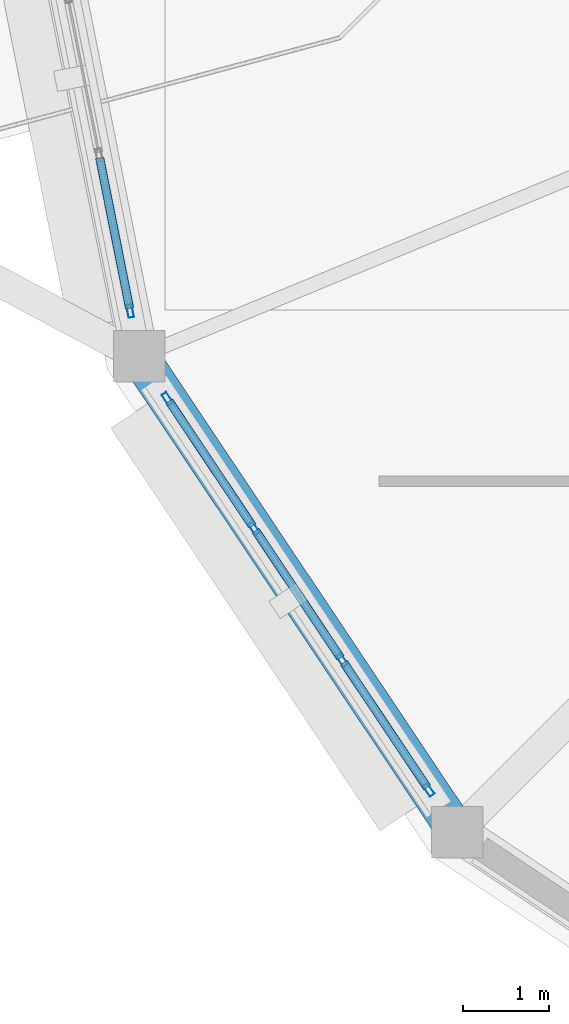
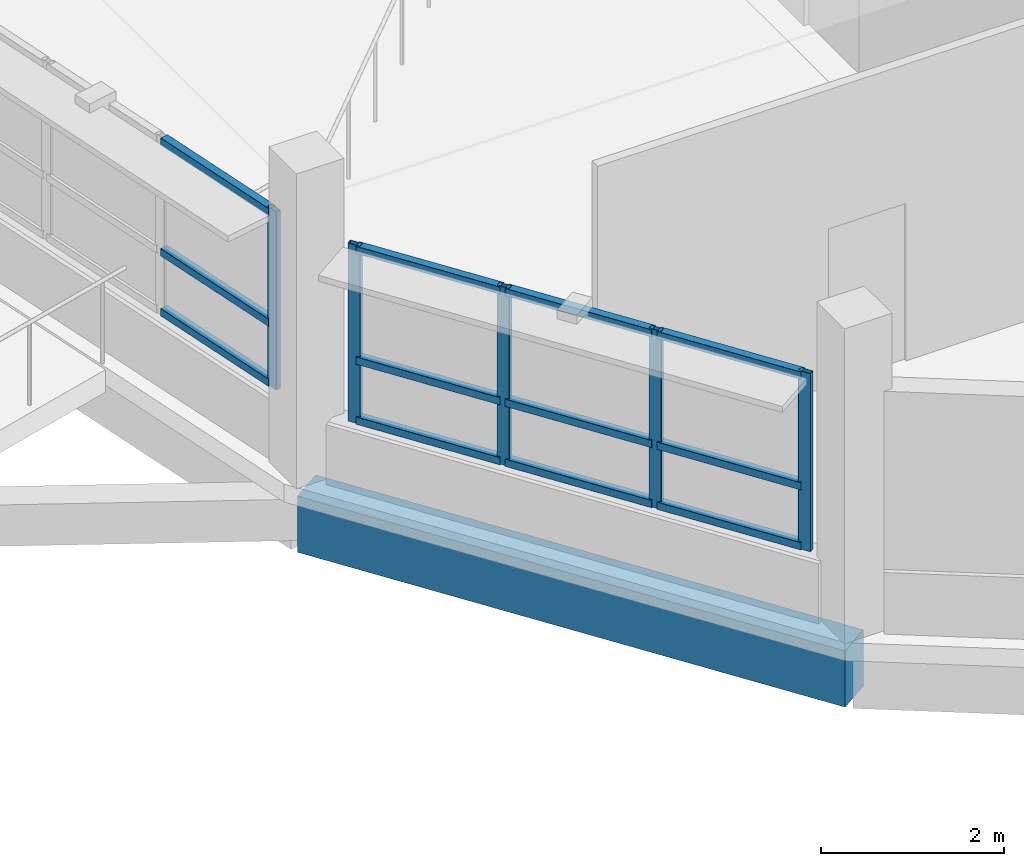
# One storey, part 37 of 128: 17 members, 1 beam, 2 elements without a shape of their own.
"""IFC4 building model written with IfcOpenShell, lengths in metres."""

import ifcopenshell
import ifcopenshell.guid

model = None  # the IFC model being written
_history = None  # IfcOwnerHistory: only IFC2X3 demands one
_inside = {}  # id of a spatial element -> (the spatial element, [elements in it])
_under = {}  # id of a project, library or spatial element -> (it, [spatial elements below it])
_declared = {}  # id of a project -> (the project, [libraries it declares])
_typed = {}  # id of a type object -> (the type object, [elements of that type])
_made_of = {}  # id of a material, layer set ... -> (it, [elements and type objects made of it])


def new_model(schema):
    """Start an empty IFC model of exactly this schema.

    Asked for "IFC4X3", IfcOpenShell would pick the latest addendum, in which some entities
    have other attributes; the version numbers below select the first issue.
    IFC2X3 requires an IfcOwnerHistory on every rooted entity: one is made here for all.
    """
    global model, _history
    if schema == "IFC4X3":
        model = ifcopenshell.file(schema_version=(4, 3, 0, 0))
    else:
        model = ifcopenshell.file(schema=schema)
    _inside.clear()
    _under.clear()
    _declared.clear()
    _typed.clear()
    _made_of.clear()
    _history = None
    if model.schema == "IFC2X3":
        org = make("IfcOrganization", Name="unknown")
        user = make(
            "IfcPersonAndOrganization",
            ThePerson=make("IfcPerson", FamilyName="unknown"),
            TheOrganization=org,
        )
        app = make(
            "IfcApplication",
            ApplicationDeveloper=org,
            Version="unknown",
            ApplicationFullName="unknown",
            ApplicationIdentifier="unknown",
        )
        _history = make(
            "IfcOwnerHistory",
            OwningUser=user,
            OwningApplication=app,
            ChangeAction="ADDED",
            CreationDate=0,
        )
    return model


def make(cls, **values):
    """One entity of the class cls with the attributes given. An attribute that is None is left unset."""
    return model.create_entity(
        cls, **{name: value for name, value in values.items() if value is not None}
    )


def rooted(cls, **values):
    """An entity with a GlobalId (a new one), such as an element, a storey or a relation."""
    return make(cls, GlobalId=ifcopenshell.guid.new(), OwnerHistory=_history, **values)


def si_unit(unit_type, name, prefix=None):
    """IfcSIUnit, for example si_unit("LENGTHUNIT", "METRE", prefix="MILLI")."""
    return make("IfcSIUnit", UnitType=unit_type, Prefix=prefix, Name=name)


def assignment(units):
    """IfcUnitAssignment: the units of a project."""
    return None if units is None else make("IfcUnitAssignment", Units=units)


def point(xyz):
    """IfcCartesianPoint."""
    return None if xyz is None else make("IfcCartesianPoint", Coordinates=xyz)


def direction(xyz):
    """IfcDirection."""
    return None if xyz is None else make("IfcDirection", DirectionRatios=xyz)


def frame(location, z_axis=None, x_axis=None):
    """IfcAxis2Placement3D, a coordinate frame: its origin and axes. An axis left out is left unset."""
    return make(
        "IfcAxis2Placement3D",
        Location=point(location),
        Axis=direction(z_axis),
        RefDirection=direction(x_axis),
    )


def frame_2d(location, x_axis=None):
    """IfcAxis2Placement2D, a coordinate frame in the plane: its origin and x axis."""
    return make(
        "IfcAxis2Placement2D", Location=point(location), RefDirection=direction(x_axis)
    )


def origin():
    """The frame at (0, 0, 0) with its axes left unset."""
    return frame((0.0, 0.0, 0.0))


def origin_2d():
    """The frame at (0, 0) in the plane with its x axis left unset."""
    return frame_2d((0.0, 0.0))


def place(relative_to, where):
    """IfcLocalPlacement: puts the frame where relative to a parent placement (None: the world)."""
    return make(
        "IfcLocalPlacement", PlacementRelTo=relative_to, RelativePlacement=where
    )


def context(
    kind, dimensions, precision=None, world=None, true_north=None, identifier=None
):
    """IfcGeometricRepresentationContext, for example the 3D "Model" context."""
    return make(
        "IfcGeometricRepresentationContext",
        ContextIdentifier=identifier,
        ContextType=kind,
        CoordinateSpaceDimension=dimensions,
        Precision=precision,
        WorldCoordinateSystem=world,
        TrueNorth=true_north,
    )


def subcontext(parent, identifier, kind, view, scale=None):
    """IfcGeometricRepresentationSubContext, for example "Body" below "Model"."""
    return make(
        "IfcGeometricRepresentationSubContext",
        ContextIdentifier=identifier,
        ContextType=kind,
        ParentContext=parent,
        TargetScale=scale,
        TargetView=view,
    )


def project(units=None, contexts=None):
    """IfcProject with its units and contexts."""
    return rooted(
        "IfcProject",
        Name="project",
        RepresentationContexts=contexts,
        UnitsInContext=assignment(units),
    )


def spatial(cls, under=None, at=None, **own):
    """A site, building, storey or space (cls), placed at a placement, below another one or the project."""
    s = rooted(cls, ObjectPlacement=at, **own)
    if under is not None:
        _under.setdefault(under.id(), (under, []))[1].append(s)
    return s


def profile(cls, at=None, kind="AREA", **sizes):
    """A parametric profile (cls). Its sizes go by their IFC names, for example OverallWidth=200.0."""
    return make(cls, ProfileType=kind, Position=at, **sizes)


def rectangle(**sizes):
    """IfcRectangleProfileDef."""
    return profile("IfcRectangleProfileDef", **sizes)


def hollow_rectangle(**sizes):
    """IfcRectangleHollowProfileDef."""
    return profile("IfcRectangleHollowProfileDef", **sizes)


def extrude(swept, where, along, depth):
    """IfcExtrudedAreaSolid: the profile swept, set in the frame where, extruded along a direction by depth."""
    return make(
        "IfcExtrudedAreaSolid",
        SweptArea=swept,
        Position=where,
        ExtrudedDirection=direction(along),
        Depth=depth,
    )


def shape(context_of_items, identifier, shape_type, items):
    """IfcShapeRepresentation: the items that make up one representation, for example the "Body"."""
    return make(
        "IfcShapeRepresentation",
        ContextOfItems=context_of_items,
        RepresentationIdentifier=identifier,
        RepresentationType=shape_type,
        Items=items,
    )


def material(Name=None, Category=None):
    """IfcMaterial."""
    return make("IfcMaterial", Name=Name, Category=Category)


def layer(
    of_material, thickness, ventilated=None, Name=None, Category=None, Priority=None
):
    """IfcMaterialLayer: one layer of a wall or slab, of a material (None: an air gap)."""
    return make(
        "IfcMaterialLayer",
        Material=of_material,
        LayerThickness=thickness,
        IsVentilated=ventilated,
        Name=Name,
        Category=Category,
        Priority=Priority,
    )


def layer_set(layers, Name=None):
    """IfcMaterialLayerSet."""
    return make("IfcMaterialLayerSet", MaterialLayers=layers, LayerSetName=Name)


def material_profile(
    of_material, cross_section, Name=None, Category=None, Priority=None
):
    """IfcMaterialProfile: a cross section and its material."""
    return make(
        "IfcMaterialProfile",
        Name=Name,
        Material=of_material,
        Profile=cross_section,
        Priority=Priority,
        Category=Category,
    )


def profile_set(profiles, Name=None, composite=None):
    """IfcMaterialProfileSet."""
    return make(
        "IfcMaterialProfileSet",
        Name=Name,
        MaterialProfiles=profiles,
        CompositeProfile=composite,
    )


def made_of(thing, what):
    """Note that an element or type object is made of a material, layer set ...; save() writes the relation."""
    if what is not None:
        _made_of.setdefault(what.id(), (what, []))[1].append(thing)
    return thing


def type_object(cls, material=None, **own):
    """A type object (cls), such as IfcWallType, which elements share."""
    return made_of(rooted(cls, **own), material)


def element(
    cls,
    number,
    at=None,
    inside=None,
    cuts=None,
    type_object=None,
    material=None,
    context=None,
    identifier="Body",
    shape_type=None,
    held_by="IfcProductDefinitionShape",
    body=None,
    shapes=None,
    **own,
):
    """One element of the class cls, such as IfcWall. Its Tag is "e" and its number.

    at: its placement. inside: the storey or other place that contains it. cuts: it is an
    opening in that element (IfcRelVoidsElement). A single representation is given by context,
    identifier, shape_type and body (its items); several are given by shapes. held_by: the class
    of the entity that holds the representations. save() writes the other relations.
    """
    e = rooted(cls, Tag="e%d" % number, ObjectPlacement=at, **own)
    if body is not None:
        shapes = [shape(context, identifier, shape_type, body)]
    if shapes is not None:
        e.Representation = make(held_by, Representations=shapes)
    if inside is not None:
        _inside.setdefault(inside.id(), (inside, []))[1].append(e)
    if cuts is not None:
        rooted(
            "IfcRelVoidsElement", RelatingBuildingElement=cuts, RelatedOpeningElement=e
        )
    if type_object is not None:
        _typed.setdefault(type_object.id(), (type_object, []))[1].append(e)
    return made_of(e, material)


def aggregate(whole, parts):
    """IfcRelAggregates: a whole, such as a stair, and the parts it consists of."""
    return rooted("IfcRelAggregates", RelatingObject=whole, RelatedObjects=parts)


def save(model, path):
    """Write the relations noted so far, then the file.

    IfcRelAggregates (storeys below a building ...), IfcRelContainedInSpatialStructure (elements
    in a storey), IfcRelDefinesByType, IfcRelAssociatesMaterial and IfcRelDeclares: one each for
    every whole, place, type object, material and project.
    """
    for whole, parts in _under.values():
        aggregate(whole, parts)
    for where, things in _inside.values():
        rooted(
            "IfcRelContainedInSpatialStructure",
            RelatedElements=things,
            RelatingStructure=where,
        )
    for kind, things in _typed.values():
        rooted("IfcRelDefinesByType", RelatedObjects=things, RelatingType=kind)
    for what, things in _made_of.values():
        rooted("IfcRelAssociatesMaterial", RelatedObjects=things, RelatingMaterial=what)
    for by, libraries in _declared.values():
        rooted("IfcRelDeclares", RelatingContext=by, RelatedDefinitions=libraries)
    model.write(path)


model = new_model("IFC4")

# Units and contexts
model_context = context("Model", 3, precision=1e-05, world=origin(), true_north=direction((0.0, 1.0)))
body_context = subcontext(model_context, "Body", "Model", "MODEL_VIEW")
ifc_project = project(units=[si_unit("LENGTHUNIT", "METRE"), si_unit("AREAUNIT", "SQUARE_METRE"), si_unit("VOLUMEUNIT", "CUBIC_METRE"), si_unit("PLANEANGLEUNIT", "RADIAN"), si_unit("MASSUNIT", "GRAM", prefix="KILO")], contexts=[model_context])

# Site, building, storey
site_placement = place(None, origin())
site = spatial("IfcSite", under=ifc_project, at=site_placement, CompositionType="ELEMENT")
building_placement = place(site_placement, origin())
building = spatial("IfcBuilding", under=site, at=building_placement, Name="Vespera Passage Community Centre", CompositionType="ELEMENT")
storey_placement = place(building_placement, frame((0.0, 0.0, 4.5)))
storey = spatial("IfcBuildingStorey", under=building, at=storey_placement, Name="L01", CompositionType="ELEMENT", Elevation=4.5)

# Beam
ifc_material_1 = material(Name="Concrete f'c 35 MPa", Category="concrete")
ifc_material_profile_1 = material_profile(ifc_material_1, rectangle(XDim=0.449951171875, YDim=0.75, at=origin_2d()), Name="RC450X750")
ifc_profile_set_1 = profile_set([ifc_material_profile_1], Name="Concrete f'c 35 MPa")
beam_type = type_object("IfcBeamType", Name="BM-SP-450X750E", PredefinedType="SPANDREL", material=ifc_profile_set_1)
beam_placement = place(storey_placement, frame((125.20166015625, 18.4560546875, -0.614990234375), z_axis=(0.55556964639, -0.831470004276, 0.0), x_axis=(0.831470004276, 0.55556964639, 0.0)))
element("IfcBeam", 1, at=beam_placement, inside=storey, type_object=beam_type, Name="V3 L01 Spandrel 10", PredefinedType="SPANDREL", context=body_context, shape_type="SweptSolid", body=[
    extrude(rectangle(XDim=0.449951171875, YDim=0.75, at=origin_2d()), origin(), (0.0, 0.0, 1.0), 6.672119140625),
])

# Curtain wall, member
ifc_material_2 = material(Name="Anodized aluminium 6063-T6", Category="aluminium")
ifc_layer_1 = layer(ifc_material_2, 0.159912109375)
ifc_layer_set_1 = layer_set([ifc_layer_1], Name="Anodized aluminium 6063-T6")
curtain_wall_type_1 = type_object("IfcCurtainWallType", Name="CW-105E", PredefinedType="NOTDEFINED", material=ifc_layer_set_1)
curtain_wall_1_placement = place(storey_placement, origin())
curtain_wall_1 = element("IfcCurtainWall", 2, at=curtain_wall_1_placement, inside=storey, type_object=curtain_wall_type_1, Name="Dining Drum Ribbon Curtain Wall L01.9", PredefinedType="NOTDEFINED")
ifc_material_3 = material(Name="Anodized aluminium 6063-T6", Category="aluminium")
ifc_material_profile_2 = material_profile(ifc_material_3, hollow_rectangle(XDim=0.06494140625, YDim=0.14990234375, WallThickness=0.00390625, InnerFilletRadius=0.001953125, OuterFilletRadius=0.00390625, at=origin_2d()), Name="ALU150X65X4")
ifc_profile_set_2 = profile_set([ifc_material_profile_2], Name="Anodized aluminium 6063-T6")
member_type_1 = type_object("IfcMemberType", Name="MB-CWM-150E", PredefinedType="MULLION", material=ifc_profile_set_2)
member_1_placement = place(storey_placement, frame((125.0966796875, 18.984130859375, 0.800048828125), z_axis=(0.0, 0.0, 1.0), x_axis=(-0.980783996069, -0.195096778691, 0.0)))
member_1 = element("IfcMember", 3, at=member_1_placement, type_object=member_type_1, Name="CW-105E mullion 1", PredefinedType="MULLION", context=body_context, shape_type="SweptSolid", body=[
    extrude(hollow_rectangle(XDim=0.06494140625, YDim=0.14990234375, WallThickness=0.00390625, InnerFilletRadius=0.001953125, OuterFilletRadius=0.00390625, at=origin_2d()), origin(), (0.0, 0.0, 1.0), 2.375),
])

# Curtain wall, members
ifc_material_4 = material(Name="Anodized aluminium 6063-T6", Category="aluminium")
ifc_layer_2 = layer(ifc_material_4, 0.159912109375)
ifc_layer_set_2 = layer_set([ifc_layer_2], Name="Anodized aluminium 6063-T6")
curtain_wall_type_2 = type_object("IfcCurtainWallType", Name="CW-106E", PredefinedType="NOTDEFINED", material=ifc_layer_set_2)
curtain_wall_2_placement = place(storey_placement, origin())
curtain_wall_2 = element("IfcCurtainWall", 4, at=curtain_wall_2_placement, inside=storey, type_object=curtain_wall_type_2, Name="Dining Drum Ribbon Curtain Wall L01.10", PredefinedType="NOTDEFINED")
member_2_placement = place(storey_placement, frame((128.578857421875, 13.40185546875, 0.800048828125), z_axis=(0.0, 0.0, 1.0), x_axis=(-0.831473308708, -0.555564700918, 0.0)))
member_2 = element("IfcMember", 5, at=member_2_placement, type_object=member_type_1, Name="CW-106E mullion 1", PredefinedType="MULLION", context=body_context, shape_type="SweptSolid", body=[
    extrude(hollow_rectangle(XDim=0.06494140625, YDim=0.14990234375, WallThickness=0.00390625, InnerFilletRadius=0.001953125, OuterFilletRadius=0.00390625, at=origin_2d()), origin(), (0.0, 0.0, 1.0), 2.375),
])
member_3_placement = place(storey_placement, frame((127.569091796875, 14.9130859375, 0.800048828125), z_axis=(0.0, 0.0, 1.0), x_axis=(-0.831473308708, -0.555564700918, 0.0)))
member_3 = element("IfcMember", 6, at=member_3_placement, type_object=member_type_1, Name="CW-106E mullion 2", PredefinedType="MULLION", context=body_context, shape_type="SweptSolid", body=[
    extrude(hollow_rectangle(XDim=0.06494140625, YDim=0.14990234375, WallThickness=0.00390625, InnerFilletRadius=0.001953125, OuterFilletRadius=0.00390625, at=origin_2d()), origin(), (0.0, 0.0, 1.0), 2.375),
])
member_4_placement = place(storey_placement, frame((126.541259765625, 16.451416015625, 0.800048828125), z_axis=(0.0, 0.0, 1.0), x_axis=(-0.831473308708, -0.555564700918, 0.0)))
member_4 = element("IfcMember", 7, at=member_4_placement, type_object=member_type_1, Name="CW-106E mullion 3", PredefinedType="MULLION", context=body_context, shape_type="SweptSolid", body=[
    extrude(hollow_rectangle(XDim=0.06494140625, YDim=0.14990234375, WallThickness=0.00390625, InnerFilletRadius=0.001953125, OuterFilletRadius=0.00390625, at=origin_2d()), origin(), (0.0, 0.0, 1.0), 2.375),
])
member_5_placement = place(storey_placement, frame((125.53125, 17.962890625, 0.800048828125), z_axis=(0.0, 0.0, 1.0), x_axis=(-0.831473308708, -0.555564700918, 0.0)))
member_5 = element("IfcMember", 8, at=member_5_placement, type_object=member_type_1, Name="CW-106E mullion 4", PredefinedType="MULLION", context=body_context, shape_type="SweptSolid", body=[
    extrude(hollow_rectangle(XDim=0.06494140625, YDim=0.14990234375, WallThickness=0.00390625, InnerFilletRadius=0.001953125, OuterFilletRadius=0.00390625, at=origin_2d()), origin(), (0.0, 0.0, 1.0), 2.375),
])

# Member
ifc_material_5 = material(Name="Anodized aluminium 6063-T6", Category="aluminium")
ifc_material_profile_3 = material_profile(ifc_material_5, hollow_rectangle(XDim=0.10009765625, YDim=0.10009765625, WallThickness=0.00390625, InnerFilletRadius=0.001953125, OuterFilletRadius=0.00390625, at=origin_2d()), Name="ALU100X100X4")
ifc_profile_set_3 = profile_set([ifc_material_profile_3], Name="Anodized aluminium 6063-T6")
member_type_2 = type_object("IfcMemberType", Name="MB-CWT-100E", PredefinedType="USERDEFINED", material=ifc_profile_set_3)
member_6_placement = place(storey_placement, frame((125.09033203125, 19.01611328125, 0.85009765625), z_axis=(-0.195118922523, 0.980779590975, 0.0), x_axis=(-0.980779590975, -0.195118922523, 0.0)))
member_6 = element("IfcMember", 9, at=member_6_placement, type_object=member_type_2, Name="CW-105E transom 1.1", ObjectType="TRANSOM", PredefinedType="USERDEFINED", context=body_context, shape_type="SweptSolid", body=[
    extrude(hollow_rectangle(XDim=0.10009765625, YDim=0.10009765625, WallThickness=0.00390625, InnerFilletRadius=0.001953125, OuterFilletRadius=0.00390625, at=origin_2d()), origin(), (0.0, 0.0, 1.0), 1.789306640625),
])

member_7_placement = place(storey_placement, frame((125.09033203125, 19.01611328125, 1.64990234375), z_axis=(-0.195118922523, 0.980779590975, 0.0), x_axis=(-0.980779590975, -0.195118922523, 0.0)))
member_7 = element("IfcMember", 10, at=member_7_placement, type_object=member_type_2, Name="CW-105E transom 1.2", ObjectType="TRANSOM", PredefinedType="USERDEFINED", context=body_context, shape_type="SweptSolid", body=[
    extrude(hollow_rectangle(XDim=0.10009765625, YDim=0.10009765625, WallThickness=0.00390625, InnerFilletRadius=0.001953125, OuterFilletRadius=0.00390625, at=origin_2d()), origin(), (0.0, 0.0, 1.0), 1.789306640625),
])

member_8_placement = place(storey_placement, frame((125.09033203125, 19.01611328125, 3.125), z_axis=(-0.195118922523, 0.980779590975, 0.0), x_axis=(-0.980779590975, -0.195118922523, 0.0)))
member_8 = element("IfcMember", 11, at=member_8_placement, type_object=member_type_2, Name="CW-105E transom 1.3", ObjectType="TRANSOM", PredefinedType="USERDEFINED", context=body_context, shape_type="SweptSolid", body=[
    extrude(hollow_rectangle(XDim=0.10009765625, YDim=0.10009765625, WallThickness=0.00390625, InnerFilletRadius=0.001953125, OuterFilletRadius=0.00390625, at=origin_2d()), origin(), (0.0, 0.0, 1.0), 1.789306640625),
])

aggregate(curtain_wall_1, [member_1, member_6, member_7, member_8])

member_9_placement = place(storey_placement, frame((128.560791015625, 13.428955078125, 0.85009765625), z_axis=(-0.555535727386, 0.831492667194, 0.0), x_axis=(-0.831492667194, -0.555535727386, 0.0)))
member_9 = element("IfcMember", 12, at=member_9_placement, type_object=member_type_2, Name="CW-106E transom 1.1", ObjectType="TRANSOM", PredefinedType="USERDEFINED", context=body_context, shape_type="SweptSolid", body=[
    extrude(hollow_rectangle(XDim=0.10009765625, YDim=0.10009765625, WallThickness=0.00390625, InnerFilletRadius=0.001953125, OuterFilletRadius=0.00390625, at=origin_2d()), origin(), (0.0, 0.0, 1.0), 1.752685546875),
])

member_10_placement = place(storey_placement, frame((128.560791015625, 13.428955078125, 1.64990234375), z_axis=(-0.555535727386, 0.831492667194, 0.0), x_axis=(-0.831492667194, -0.555535727386, 0.0)))
member_10 = element("IfcMember", 13, at=member_10_placement, type_object=member_type_2, Name="CW-106E transom 1.2", ObjectType="TRANSOM", PredefinedType="USERDEFINED", context=body_context, shape_type="SweptSolid", body=[
    extrude(hollow_rectangle(XDim=0.10009765625, YDim=0.10009765625, WallThickness=0.00390625, InnerFilletRadius=0.001953125, OuterFilletRadius=0.00390625, at=origin_2d()), origin(), (0.0, 0.0, 1.0), 1.752685546875),
])

member_11_placement = place(storey_placement, frame((128.560791015625, 13.428955078125, 3.125), z_axis=(-0.555535727386, 0.831492667194, 0.0), x_axis=(-0.831492667194, -0.555535727386, 0.0)))
member_11 = element("IfcMember", 14, at=member_11_placement, type_object=member_type_2, Name="CW-106E transom 1.3", ObjectType="TRANSOM", PredefinedType="USERDEFINED", context=body_context, shape_type="SweptSolid", body=[
    extrude(hollow_rectangle(XDim=0.10009765625, YDim=0.10009765625, WallThickness=0.00390625, InnerFilletRadius=0.001953125, OuterFilletRadius=0.00390625, at=origin_2d()), origin(), (0.0, 0.0, 1.0), 1.752685546875),
])

member_12_placement = place(storey_placement, frame((127.551025390625, 14.940185546875, 0.85009765625), z_axis=(-0.555520488502, 0.831502848374, 0.0), x_axis=(-0.831502848374, -0.555520488502, 0.0)))
member_12 = element("IfcMember", 15, at=member_12_placement, type_object=member_type_2, Name="CW-106E transom 2.1", ObjectType="TRANSOM", PredefinedType="USERDEFINED", context=body_context, shape_type="SweptSolid", body=[
    extrude(hollow_rectangle(XDim=0.10009765625, YDim=0.10009765625, WallThickness=0.00390625, InnerFilletRadius=0.001953125, OuterFilletRadius=0.00390625, at=origin_2d()), origin(), (0.0, 0.0, 1.0), 1.78515625),
])

member_13_placement = place(storey_placement, frame((127.551025390625, 14.940185546875, 1.64990234375), z_axis=(-0.555520488502, 0.831502848374, 0.0), x_axis=(-0.831502848374, -0.555520488502, 0.0)))
member_13 = element("IfcMember", 16, at=member_13_placement, type_object=member_type_2, Name="CW-106E transom 2.2", ObjectType="TRANSOM", PredefinedType="USERDEFINED", context=body_context, shape_type="SweptSolid", body=[
    extrude(hollow_rectangle(XDim=0.10009765625, YDim=0.10009765625, WallThickness=0.00390625, InnerFilletRadius=0.001953125, OuterFilletRadius=0.00390625, at=origin_2d()), origin(), (0.0, 0.0, 1.0), 1.78515625),
])

member_14_placement = place(storey_placement, frame((127.551025390625, 14.940185546875, 3.125), z_axis=(-0.555520488502, 0.831502848374, 0.0), x_axis=(-0.831502848374, -0.555520488502, 0.0)))
member_14 = element("IfcMember", 17, at=member_14_placement, type_object=member_type_2, Name="CW-106E transom 2.3", ObjectType="TRANSOM", PredefinedType="USERDEFINED", context=body_context, shape_type="SweptSolid", body=[
    extrude(hollow_rectangle(XDim=0.10009765625, YDim=0.10009765625, WallThickness=0.00390625, InnerFilletRadius=0.001953125, OuterFilletRadius=0.00390625, at=origin_2d()), origin(), (0.0, 0.0, 1.0), 1.78515625),
])

member_15_placement = place(storey_placement, frame((126.523193359375, 16.478515625, 0.85009765625), z_axis=(-0.555632026719, 0.831428319751, 0.0), x_axis=(-0.831428319751, -0.555632026719, 0.0)))
member_15 = element("IfcMember", 18, at=member_15_placement, type_object=member_type_2, Name="CW-106E transom 3.1", ObjectType="TRANSOM", PredefinedType="USERDEFINED", context=body_context, shape_type="SweptSolid", body=[
    extrude(hollow_rectangle(XDim=0.10009765625, YDim=0.10009765625, WallThickness=0.00390625, InnerFilletRadius=0.001953125, OuterFilletRadius=0.00390625, at=origin_2d()), origin(), (0.0, 0.0, 1.0), 1.752685546875),
])

member_16_placement = place(storey_placement, frame((126.523193359375, 16.478515625, 1.64990234375), z_axis=(-0.555632026719, 0.831428319751, 0.0), x_axis=(-0.831428319751, -0.555632026719, 0.0)))
member_16 = element("IfcMember", 19, at=member_16_placement, type_object=member_type_2, Name="CW-106E transom 3.2", ObjectType="TRANSOM", PredefinedType="USERDEFINED", context=body_context, shape_type="SweptSolid", body=[
    extrude(hollow_rectangle(XDim=0.10009765625, YDim=0.10009765625, WallThickness=0.00390625, InnerFilletRadius=0.001953125, OuterFilletRadius=0.00390625, at=origin_2d()), origin(), (0.0, 0.0, 1.0), 1.752685546875),
])

member_17_placement = place(storey_placement, frame((126.523193359375, 16.478515625, 3.125), z_axis=(-0.555632026719, 0.831428319751, 0.0), x_axis=(-0.831428319751, -0.555632026719, 0.0)))
member_17 = element("IfcMember", 20, at=member_17_placement, type_object=member_type_2, Name="CW-106E transom 3.3", ObjectType="TRANSOM", PredefinedType="USERDEFINED", context=body_context, shape_type="SweptSolid", body=[
    extrude(hollow_rectangle(XDim=0.10009765625, YDim=0.10009765625, WallThickness=0.00390625, InnerFilletRadius=0.001953125, OuterFilletRadius=0.00390625, at=origin_2d()), origin(), (0.0, 0.0, 1.0), 1.752685546875),
])

aggregate(curtain_wall_2, [member_2, member_3, member_4, member_5, member_9, member_10, member_11, member_12, member_13, member_14, member_15, member_16, member_17])

save(model, "model.ifc")
